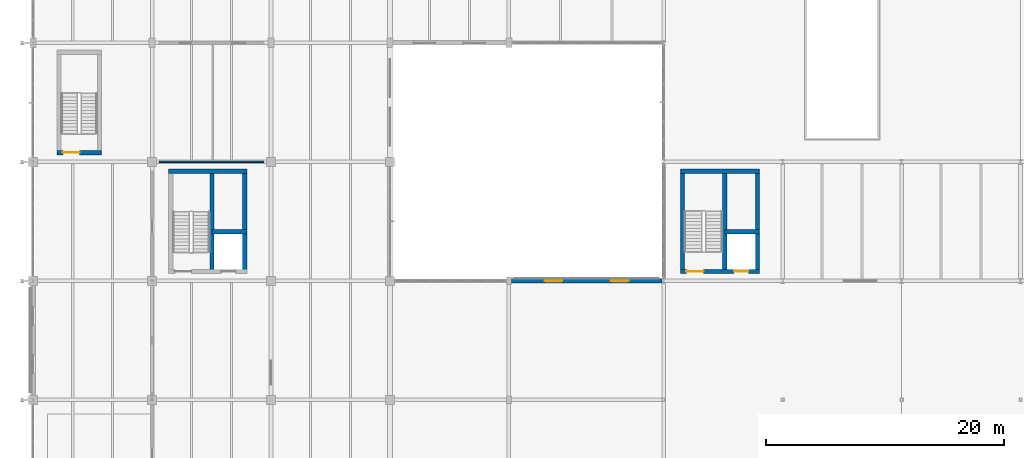
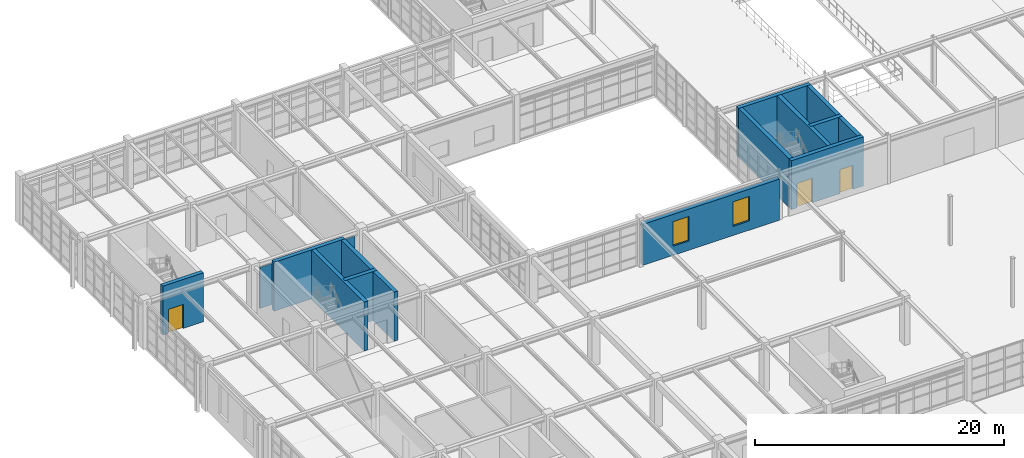
# One storey, part 117 of 139: 13 walls, 3 doors, 2 windows, 5 openings.
"""IFC4 building model written with IfcOpenShell, lengths in metres."""

from ifc_helpers import new_model, si_unit, direction, frame, frame_2d, origin, place, context, subcontext, project, spatial, rectangle, extrude, material, layer, layer_set, type_object, element, fill, save


model = new_model("IFC4")

# Units and contexts
model_context = context("Model", 3, precision=1e-05, world=origin(), true_north=direction((0.0, 1.0)))
body_context = subcontext(model_context, "Body", "Model", "MODEL_VIEW")
ifc_project = project(units=[si_unit("LENGTHUNIT", "METRE"), si_unit("AREAUNIT", "SQUARE_METRE"), si_unit("VOLUMEUNIT", "CUBIC_METRE"), si_unit("PLANEANGLEUNIT", "RADIAN"), si_unit("MASSUNIT", "GRAM", prefix="KILO"), si_unit("THERMODYNAMICTEMPERATUREUNIT", "KELVIN"), si_unit("POWERUNIT", "WATT")], contexts=[model_context])

# Site, building, storey
site_placement = place(None, origin())
site = spatial("IfcSite", under=ifc_project, at=site_placement, CompositionType="ELEMENT")
building_placement = place(site_placement, origin())
building = spatial("IfcBuilding", under=site, at=building_placement, Name="Korenveer Ferry Terminal", CompositionType="ELEMENT")
storey_placement = place(building_placement, frame((0.0, 0.0, 5.39990234375)))
storey = spatial("IfcBuildingStorey", under=building, at=storey_placement, Name="L01", CompositionType="ELEMENT", Elevation=5.39990234375)

# Wall, openings, windows
ifc_material_1 = material(Name="Insulated clinker brick masonry", Category="masonry")
ifc_layer_1 = layer(ifc_material_1, 0.3798828125)
ifc_layer_set_1 = layer_set([ifc_layer_1], Name="Insulated clinker brick masonry")
wall_type_1 = type_object("IfcWallType", Name="ENV-WL-BRK380", PredefinedType="SOLIDWALL", material=ifc_layer_set_1)
wall_1_placement = place(storey_placement, frame((40.199951171875, 50.0, 0.0), z_axis=(0.0, 0.0, 1.0), x_axis=(1.0, 0.0, 0.0)))
wall_1 = element("IfcWall", 1, at=wall_1_placement, inside=storey, type_object=wall_type_1, Name="Exterior facade wall EWL-L01-043", PredefinedType="SOLIDWALL", context=body_context, shape_type="SweptSolid", body=[
    extrude(rectangle(XDim=12.650146484375, YDim=0.3798828125, at=frame_2d((6.3251953125, 0.0))), origin(), (0.0, 0.0, 1.0), 4.02001953125),
])
opening_1_placement = place(wall_1_placement, frame((2.7919921875, 0.0, 0.89990234375)))
opening_1 = element("IfcOpeningElement", 2, at=opening_1_placement, cuts=wall_1, Name="Opening WN-14", PredefinedType="OPENING", context=body_context, shape_type="SweptSolid", body=[
    extrude(rectangle(XDim=1.5, YDim=2.39990234375, at=frame_2d((0.75, 1.199951171875))), frame((0.0, 0.199951171875, 0.0), z_axis=(0.0, -1.0, 0.0), x_axis=(1.0, 0.0, 0.0)), (0.0, 0.0, 1.0), 0.39990234375),
])
opening_2_placement = place(wall_1_placement, frame((8.35791015625, 0.0, 0.89990234375)))
opening_2 = element("IfcOpeningElement", 3, at=opening_2_placement, cuts=wall_1, Name="Opening WN-14", PredefinedType="OPENING", context=body_context, shape_type="SweptSolid", body=[
    extrude(rectangle(XDim=1.5, YDim=2.39990234375, at=frame_2d((0.75, 1.199951171875))), frame((0.0, 0.199951171875, 0.0), z_axis=(0.0, -1.0, 0.0), x_axis=(1.0, 0.0, 0.0)), (0.0, 0.0, 1.0), 0.39990234375),
])
ifc_material_2 = material(Name="Low-iron triple glazing in bronze frame", Category="glass")
window_type = type_object("IfcWindowType", Name="ENV-WN-14", PartitioningType="SINGLE_PANEL", PredefinedType="WINDOW", material=ifc_material_2)
window_1_placement = place(opening_1_placement, origin())
window_1 = element("IfcWindow", 4, at=window_1_placement, inside=storey, type_object=window_type, Name="Lancet facade window 41", OverallHeight=2.39990234375, OverallWidth=1.5, PartitioningType="SINGLE_PANEL", PredefinedType="WINDOW", context=body_context, shape_type="SweptSolid", body=[
    extrude(rectangle(XDim=1.5, YDim=2.39990234375, at=frame_2d((0.75, 1.199951171875))), frame((0.0, 0.030029296875, 0.0), z_axis=(0.0, -1.0, 0.0), x_axis=(1.0, 0.0, 0.0)), (0.0, 0.0, 1.0), 0.06005859375),
])
fill(opening_1, window_1)
window_2_placement = place(opening_2_placement, origin())
window_2 = element("IfcWindow", 5, at=window_2_placement, inside=storey, type_object=window_type, Name="Lancet facade window 42", OverallHeight=2.39990234375, OverallWidth=1.5, PartitioningType="SINGLE_PANEL", PredefinedType="WINDOW", context=body_context, shape_type="SweptSolid", body=[
    extrude(rectangle(XDim=1.5, YDim=2.39990234375, at=frame_2d((0.75, 1.199951171875))), frame((0.0, 0.030029296875, 0.0), z_axis=(0.0, -1.0, 0.0), x_axis=(1.0, 0.0, 0.0)), (0.0, 0.0, 1.0), 0.06005859375),
])
fill(opening_2, window_2)

# Walls
ifc_material_3 = material(Name="Concrete C45/55", Category="concrete")
ifc_layer_2 = layer(ifc_material_3, 0.360107421875)
ifc_layer_set_2 = layer_set([ifc_layer_2], Name="Concrete C45/55")
wall_type_2 = type_object("IfcWallType", Name="INT-WL-CORE360", PredefinedType="SHEAR", material=ifc_layer_set_2)
wall_2_placement = place(storey_placement, frame((11.39990234375, 59.219970703125, 0.0), z_axis=(0.0, 0.0, 1.0), x_axis=(1.0, 0.0, 0.0)))
element("IfcWall", 6, at=wall_2_placement, inside=storey, type_object=wall_type_2, Name="West Operations Core K2 north shear wall L01", PredefinedType="SHEAR", context=body_context, shape_type="SweptSolid", body=[
    extrude(rectangle(XDim=6.580078125, YDim=0.360107421875, at=frame_2d((3.2900390625, 0.0))), origin(), (0.0, 0.0, 1.0), 4.800048828125),
])
for number, where, z_axis, x_axis, name in (
    (7, (17.800048828125, 50.60009765625, 0.0), (0.0, 0.0, 1.0), (0.0, 1.0, 0.0), "West Operations Core K2 east shear wall L01"),
    (8, (15.0400390625, 50.60009765625, 0.0), (0.0, 0.0, 1.0), (0.0, 1.0, 0.0), "West Operations Core K2 shaft divider wall L01"),
):
    element("IfcWall", number, at=place(storey_placement, frame(where, z_axis=z_axis, x_axis=x_axis)), inside=storey, type_object=wall_type_2, Name=name, PredefinedType="SHEAR", context=body_context, shape_type="SweptSolid", body=[
        extrude(rectangle(XDim=8.7998046875, YDim=0.360107421875, at=frame_2d((4.39990234375, 0.0))), origin(), (0.0, 0.0, 1.0), 4.800048828125),
    ])
wall_3_placement = place(storey_placement, frame((15.0400390625, 54.139892578125, 0.0), z_axis=(0.0, 0.0, 1.0), x_axis=(1.0, 0.0, 0.0)))
element("IfcWall", 9, at=wall_3_placement, inside=storey, type_object=wall_type_2, Name="West Operations Core K2 lift shaft wall L01", PredefinedType="SHEAR", context=body_context, shape_type="SweptSolid", body=[
    extrude(rectangle(XDim=2.93994140625, YDim=0.360107421875, at=frame_2d((1.469970703125, 0.0))), origin(), (0.0, 0.0, 1.0), 4.800048828125),
])

# Wall, openings, doors
wall_4_placement = place(storey_placement, frame((54.39990234375, 50.780029296875, 0.0), z_axis=(0.0, 0.0, 1.0), x_axis=(1.0, 0.0, 0.0)))
wall_4 = element("IfcWall", 10, at=wall_4_placement, inside=storey, type_object=wall_type_2, Name="Departure West Core K5 south shear wall L01", PredefinedType="SHEAR", context=body_context, shape_type="SweptSolid", body=[
    extrude(rectangle(XDim=6.68017578125, YDim=0.360107421875, at=frame_2d((3.340087890625, 0.0))), origin(), (0.0, 0.0, 1.0), 4.800048828125),
])
opening_3_placement = place(wall_4_placement, frame((0.510009765625, 0.0, 0.0)))
opening_3 = element("IfcOpeningElement", 11, at=opening_3_placement, cuts=wall_4, Name="Opening SD-18", PredefinedType="OPENING", context=body_context, shape_type="SweptSolid", body=[
    extrude(rectangle(XDim=1.449951171875, YDim=2.39990234375, at=frame_2d((0.72509765625, 1.199951171875))), frame((0.0, 0.18994140625, 0.0), z_axis=(0.0, -1.0, 0.0), x_axis=(1.0, 0.0, 0.0)), (0.0, 0.0, 1.0), 0.380126953125),
])
opening_4_placement = place(wall_4_placement, frame((4.52001953125, 0.0, 0.0)))
opening_4 = element("IfcOpeningElement", 12, at=opening_4_placement, cuts=wall_4, Name="Opening LD-18", PredefinedType="OPENING", context=body_context, shape_type="SweptSolid", body=[
    extrude(rectangle(XDim=1.199951171875, YDim=2.35009765625, at=frame_2d((0.60009765625, 1.175048828125))), frame((0.0, 0.18994140625, 0.0), z_axis=(0.0, -1.0, 0.0), x_axis=(1.0, 0.0, 0.0)), (0.0, 0.0, 1.0), 0.380126953125),
])
ifc_material_4 = material(Name="Solid hardwood and steel acoustic door", Category="steel")
door_type_1 = type_object("IfcDoorType", Name="INT-DR-LD120", OperationType="SLIDING_TO_LEFT", PredefinedType="DOOR", material=ifc_material_4)
door_1_placement = place(opening_4_placement, origin())
door_1 = element("IfcDoor", 13, at=door_1_placement, inside=storey, type_object=door_type_1, Name="Lift LP3 Sliding Landing Door L01", OperationType="SLIDING_TO_LEFT", OverallHeight=2.35009765625, OverallWidth=1.199951171875, PredefinedType="DOOR", context=body_context, shape_type="SweptSolid", body=[
    extrude(rectangle(XDim=1.199951171875, YDim=2.35009765625, at=frame_2d((0.60009765625, 1.175048828125))), frame((0.0, 0.02490234375, 0.0), z_axis=(0.0, -1.0, 0.0), x_axis=(1.0, 0.0, 0.0)), (0.0, 0.0, 1.0), 0.050048828125),
])
fill(opening_4, door_1)
door_type_2 = type_object("IfcDoorType", Name="INT-DR-ST145", OperationType="NOTDEFINED", PredefinedType="DOOR", material=ifc_material_4)
door_2_placement = place(opening_3_placement, origin())
door_2 = element("IfcDoor", 14, at=door_2_placement, inside=storey, type_object=door_type_2, Name="ST05 Stair Door L01", OperationType="SINGLE_SWING_RIGHT", OverallHeight=2.39990234375, OverallWidth=1.449951171875, PredefinedType="DOOR", context=body_context, shape_type="SweptSolid", body=[
    extrude(rectangle(XDim=1.449951171875, YDim=2.39990234375, at=frame_2d((0.72509765625, 1.199951171875))), frame((0.0, 0.02490234375, 0.0), z_axis=(0.0, -1.0, 0.0), x_axis=(1.0, 0.0, 0.0)), (0.0, 0.0, 1.0), 0.050048828125),
])
fill(opening_3, door_2)

# Walls
wall_5_placement = place(storey_placement, frame((54.39990234375, 59.219970703125, 0.0), z_axis=(0.0, 0.0, 1.0), x_axis=(1.0, 0.0, 0.0)))
element("IfcWall", 15, at=wall_5_placement, inside=storey, type_object=wall_type_2, Name="Departure West Core K5 north shear wall L01", PredefinedType="SHEAR", context=body_context, shape_type="SweptSolid", body=[
    extrude(rectangle(XDim=6.68017578125, YDim=0.360107421875, at=frame_2d((3.340087890625, 0.0))), origin(), (0.0, 0.0, 1.0), 4.800048828125),
])
for number, where, z_axis, x_axis, name in (
    (16, (54.580078125, 50.60009765625, 0.0), (0.0, 0.0, 1.0), (0.0, 1.0, 0.0), "Departure West Core K5 west shear wall L01"),
    (17, (60.89990234375, 50.60009765625, 0.0), (0.0, 0.0, 1.0), (0.0, 1.0, 0.0), "Departure West Core K5 east shear wall L01"),
    (18, (58.139892578125, 50.60009765625, 0.0), (0.0, 0.0, 1.0), (0.0, 1.0, 0.0), "Departure West Core K5 shaft divider wall L01"),
):
    element("IfcWall", number, at=place(storey_placement, frame(where, z_axis=z_axis, x_axis=x_axis)), inside=storey, type_object=wall_type_2, Name=name, PredefinedType="SHEAR", context=body_context, shape_type="SweptSolid", body=[
        extrude(rectangle(XDim=8.7998046875, YDim=0.360107421875, at=frame_2d((4.39990234375, 0.0))), origin(), (0.0, 0.0, 1.0), 4.800048828125),
    ])
wall_6_placement = place(storey_placement, frame((58.139892578125, 54.139892578125, 0.0), z_axis=(0.0, 0.0, 1.0), x_axis=(1.0, 0.0, 0.0)))
element("IfcWall", 19, at=wall_6_placement, inside=storey, type_object=wall_type_2, Name="Departure West Core K5 lift shaft wall L01", PredefinedType="SHEAR", context=body_context, shape_type="SweptSolid", body=[
    extrude(rectangle(XDim=2.940185546875, YDim=0.360107421875, at=frame_2d((1.47021484375, 0.0))), origin(), (0.0, 0.0, 1.0), 4.800048828125),
])

# Wall, opening, door
wall_7_placement = place(storey_placement, frame((2.0, 60.780029296875, 0.0), z_axis=(0.0, 0.0, 1.0), x_axis=(1.0, 0.0, 0.0)))
wall_7 = element("IfcWall", 20, at=wall_7_placement, inside=storey, type_object=wall_type_2, Name="Harbourmaster North Stair Core K11 south shear wall L01", PredefinedType="SHEAR", context=body_context, shape_type="SweptSolid", body=[
    extrude(rectangle(XDim=3.760009765625, YDim=0.360107421875, at=frame_2d((1.8798828125, 0.0))), origin(), (0.0, 0.0, 1.0), 4.800048828125),
])
opening_5_placement = place(wall_7_placement, frame((0.510009765625, 0.0, 0.0)))
opening_5 = element("IfcOpeningElement", 21, at=opening_5_placement, cuts=wall_7, Name="Opening SD-36", PredefinedType="OPENING", context=body_context, shape_type="SweptSolid", body=[
    extrude(rectangle(XDim=1.39990234375, YDim=2.35009765625, at=frame_2d((0.699951171875, 1.175048828125))), frame((0.0, 0.18994140625, 0.0), z_axis=(0.0, -1.0, 0.0), x_axis=(1.0, 0.0, 0.0)), (0.0, 0.0, 1.0), 0.380126953125),
])
door_type_3 = type_object("IfcDoorType", Name="INT-DR-ST140", OperationType="NOTDEFINED", PredefinedType="DOOR", material=ifc_material_4)
door_3_placement = place(opening_5_placement, origin())
door_3 = element("IfcDoor", 22, at=door_3_placement, inside=storey, type_object=door_type_3, Name="ST11 Stair Door L01", OperationType="SINGLE_SWING_RIGHT", OverallHeight=2.35009765625, OverallWidth=1.39990234375, PredefinedType="DOOR", context=body_context, shape_type="SweptSolid", body=[
    extrude(rectangle(XDim=1.39990234375, YDim=2.35009765625, at=frame_2d((0.699951171875, 1.175048828125))), frame((0.0, 0.02490234375, 0.0), z_axis=(0.0, -1.0, 0.0), x_axis=(1.0, 0.0, 0.0)), (0.0, 0.0, 1.0), 0.050048828125),
])
fill(opening_5, door_3)

# Wall
ifc_material_5 = material(Name="Lightweight wet-room stud partition", Category="other")
ifc_layer_3 = layer(ifc_material_5, 0.1201171875)
ifc_layer_set_3 = layer_set([ifc_layer_3], Name="Lightweight wet-room stud partition")
wall_type_3 = type_object("IfcWallType", Name="INT-WL-PART120", PredefinedType="PARTITIONING", material=ifc_layer_set_3)
wall_8_placement = place(storey_placement, frame((10.60009765625, 60.0, 0.0), z_axis=(0.0, 0.0, 1.0), x_axis=(1.0, 0.0, 0.0)))
element("IfcWall", 23, at=wall_8_placement, inside=storey, type_object=wall_type_3, Name="Interior partition PWL-L01-026", PredefinedType="PARTITIONING", context=body_context, shape_type="SweptSolid", body=[
    extrude(rectangle(XDim=8.7998046875, YDim=0.1201171875, at=frame_2d((4.39990234375, 0.0))), origin(), (0.0, 0.0, 1.0), 4.02001953125),
])

save(model, "model.ifc")
